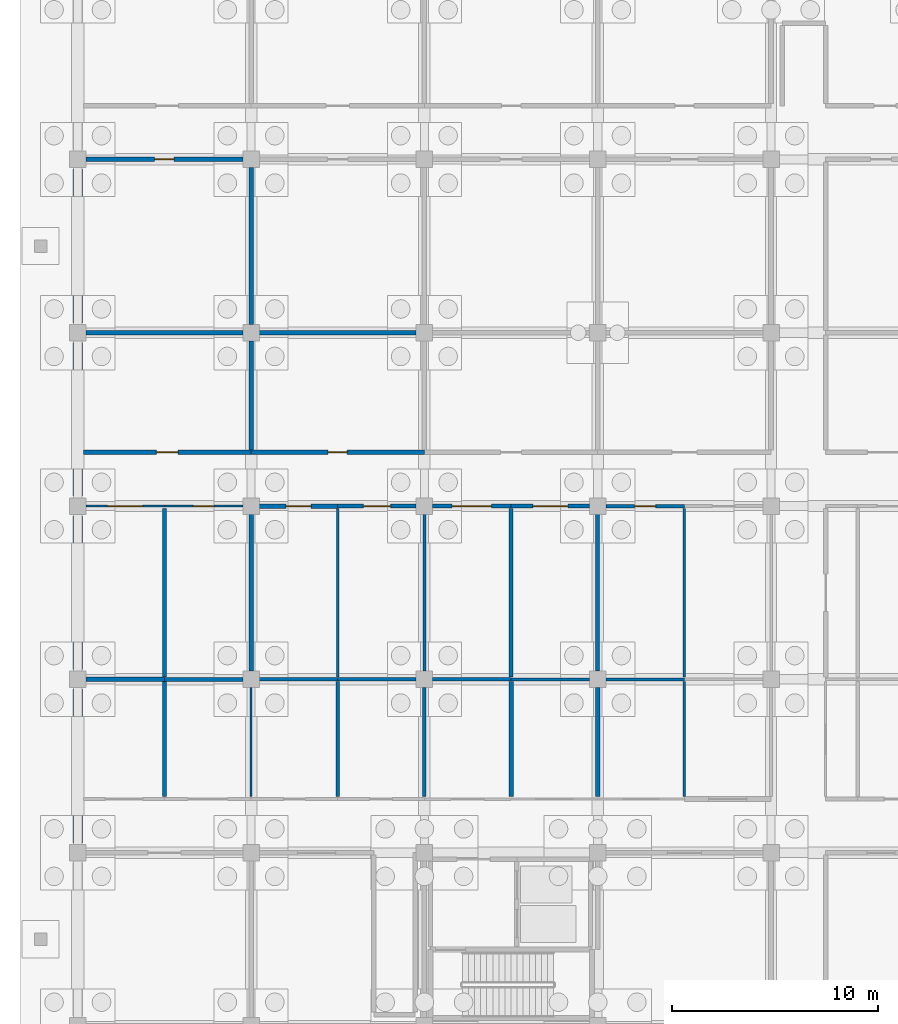
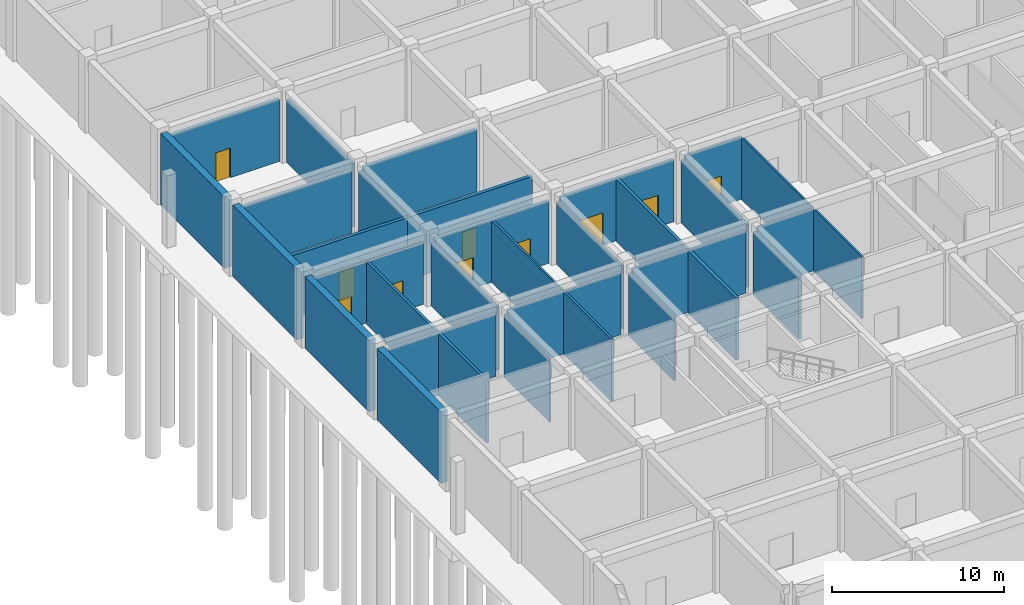
# One storey, part 36 of 65: 39 walls, 10 doors, 10 openings.
"""IFC4 building model written with IfcOpenShell, lengths in metres."""

from ifc_helpers import new_model, si_unit, direction, frame, frame_2d, origin, place, context, subcontext, project, spatial, rectangle, extrude, material, layer, layer_set, type_object, element, fill, save


model = new_model("IFC4")

# Units and contexts
model_context = context("Model", 3, precision=1e-05, world=origin(), true_north=direction((0.0, 1.0)))
body_context = subcontext(model_context, "Body", "Model", "MODEL_VIEW")
ifc_project = project(units=[si_unit("LENGTHUNIT", "METRE"), si_unit("AREAUNIT", "SQUARE_METRE"), si_unit("VOLUMEUNIT", "CUBIC_METRE"), si_unit("PLANEANGLEUNIT", "RADIAN"), si_unit("MASSUNIT", "GRAM", prefix="KILO")], contexts=[model_context])

# Site, building, storey
site_placement = place(None, origin())
site = spatial("IfcSite", under=ifc_project, at=site_placement, CompositionType="ELEMENT")
building_placement = place(site_placement, origin())
building = spatial("IfcBuilding", under=site, at=building_placement, Name="Bramfleet General Hospital", CompositionType="ELEMENT")
storey_placement = place(building_placement, frame((0.0, 0.0, -5.39990234375)))
storey = spatial("IfcBuildingStorey", under=building, at=storey_placement, Name="B1", CompositionType="ELEMENT", Elevation=-5.39990234375)

# Walls
ifc_material_1 = material(Name="Concrete C35/45", Category="concrete")
ifc_layer_1 = layer(ifc_material_1, 0.449951171875, Name="WT-EW-01")
ifc_layer_set_1 = layer_set([ifc_layer_1], Name="Concrete C35/45")
wall_type_1 = type_object("IfcWallType", Name="WT-EW-01", PredefinedType="SOLIDWALL", material=ifc_layer_set_1)
wall_1_placement = place(storey_placement, frame((0.0, 59.27490234375, 0.0), z_axis=(0.0, 0.0, 1.0), x_axis=(0.0, 1.0, 0.0)))
element("IfcWall", 1, at=wall_1_placement, inside=storey, type_object=wall_type_1, Name="B1 Waterproof Retaining Wall 1", PredefinedType="SOLIDWALL", context=body_context, shape_type="SweptSolid", body=[
    extrude(rectangle(XDim=7.4501953125, YDim=0.449951171875, at=frame_2d((3.72509765625, 0.0))), origin(), (0.0, 0.0, 1.0), 5.079833984375),
])
for number, where, z_axis, x_axis, name in (
    (2, (0.0, 67.675048828125, 0.0), (0.0, 0.0, 1.0), (0.0, 1.0, 0.0), "B1 Waterproof Retaining Wall 2"),
    (3, (0.0, 76.074951171875, 0.0), (0.0, 0.0, 1.0), (0.0, 1.0, 0.0), "B1 Waterproof Retaining Wall 3"),
    (4, (0.0, 84.47509765625, 0.0), (0.0, 0.0, 1.0), (0.0, 1.0, 0.0), "B1 Waterproof Retaining Wall 4"),
):
    element("IfcWall", number, at=place(storey_placement, frame(where, z_axis=z_axis, x_axis=x_axis)), inside=storey, type_object=wall_type_1, Name=name, PredefinedType="SOLIDWALL", context=body_context, shape_type="SweptSolid", body=[
        extrude(rectangle(XDim=7.449951171875, YDim=0.449951171875, at=frame_2d((3.72509765625, 0.0))), origin(), (0.0, 0.0, 1.0), 5.079833984375),
    ])

# Wall, opening, door
ifc_layer_2 = layer(ifc_material_1, 0.219970703125, Name="WT-IW-01")
ifc_layer_set_2 = layer_set([ifc_layer_2], Name="Concrete C35/45")
wall_type_2 = type_object("IfcWallType", Name="WT-IW-01", PredefinedType="PARTITIONING", material=ifc_layer_set_2)
wall_2_placement = place(storey_placement, frame((8.794921875, 75.60009765625, 0.0), z_axis=(0.0, 0.0, 1.0), x_axis=(1.0, 0.0, 0.0)))
wall_2 = element("IfcWall", 5, at=wall_2_placement, inside=storey, type_object=wall_type_2, Name="B1 Interior Partition IW-B1-0205", PredefinedType="PARTITIONING", context=body_context, shape_type="SweptSolid", body=[
    extrude(rectangle(XDim=3.80517578125, YDim=0.219970703125, at=frame_2d((1.902587890625, 0.0))), origin(), (0.0, 0.0, 1.0), 4.419921875),
])
opening_1_placement = place(wall_2_placement, frame((1.29248046875, 0.0, 0.0)))
opening_1 = element("IfcOpeningElement", 6, at=opening_1_placement, cuts=wall_2, Name="Opening D0215", PredefinedType="OPENING", context=body_context, shape_type="SweptSolid", body=[
    extrude(rectangle(XDim=1.219970703125, YDim=2.179931640625, at=frame_2d((0.60986328125, 1.08984375))), frame((0.0, 0.119873046875, 0.0), z_axis=(0.0, -1.0, 0.0), x_axis=(1.0, 0.0, 0.0)), (0.0, 0.0, 1.0), 0.239990234375),
])
ifc_material_2 = material(Name="Stainless steel and acoustic timber leaf", Category="steel")
door_type_1 = type_object("IfcDoorType", Name="DR-D-23", OperationType="NOTDEFINED", PredefinedType="DOOR", material=ifc_material_2)
door_1_placement = place(opening_1_placement, origin())
door_1 = element("IfcDoor", 7, at=door_1_placement, inside=storey, type_object=door_type_1, Name="Clean Medical Supply Store B1-0108 Door D0215", OperationType="SINGLE_SWING_RIGHT", OverallHeight=2.179931640625, OverallWidth=1.219970703125, PredefinedType="DOOR", context=body_context, shape_type="SweptSolid", body=[
    extrude(rectangle(XDim=1.219970703125, YDim=2.179931640625, at=frame_2d((0.60986328125, 1.08984375))), frame((0.0, 0.02490234375, 0.0), z_axis=(0.0, -1.0, 0.0), x_axis=(1.0, 0.0, 0.0)), (0.0, 0.0, 1.0), 0.050048828125),
])
fill(opening_1, door_1)

wall_3_placement = place(storey_placement, frame((0.280029296875, 78.199951171875, 0.0), z_axis=(0.0, 0.0, 1.0), x_axis=(1.0, 0.0, 0.0)))
wall_3 = element("IfcWall", 8, at=wall_3_placement, inside=storey, type_object=wall_type_2, Name="B1 Interior Partition IW-B1-0223", PredefinedType="PARTITIONING", context=body_context, shape_type="SweptSolid", body=[
    extrude(rectangle(XDim=8.119873046875, YDim=0.219970703125, at=frame_2d((4.06005859375, 0.0))), origin(), (0.0, 0.0, 1.0), 4.469970703125),
])
opening_2_placement = place(wall_3_placement, frame((3.534912109375, 0.0, 0.0)))
opening_2 = element("IfcOpeningElement", 9, at=opening_2_placement, cuts=wall_3, Name="Opening D0201", PredefinedType="OPENING", context=body_context, shape_type="SweptSolid", body=[
    extrude(rectangle(XDim=1.050048828125, YDim=2.14990234375, at=frame_2d((0.52490234375, 1.074951171875))), frame((0.0, 0.119873046875, 0.0), z_axis=(0.0, -1.0, 0.0), x_axis=(1.0, 0.0, 0.0)), (0.0, 0.0, 1.0), 0.239990234375),
])
door_type_2 = type_object("IfcDoorType", Name="DR-D-09", OperationType="NOTDEFINED", PredefinedType="DOOR", material=ifc_material_2)
door_2_placement = place(opening_2_placement, origin())
door_2 = element("IfcDoor", 10, at=door_2_placement, inside=storey, type_object=door_type_2, Name="Central Sterile Supply Room B1-0009 Door D0201", OperationType="SINGLE_SWING_RIGHT", OverallHeight=2.14990234375, OverallWidth=1.050048828125, PredefinedType="DOOR", context=body_context, shape_type="SweptSolid", body=[
    extrude(rectangle(XDim=1.050048828125, YDim=2.14990234375, at=frame_2d((0.52490234375, 1.074951171875))), frame((0.0, 0.02490234375, 0.0), z_axis=(0.0, -1.0, 0.0), x_axis=(1.0, 0.0, 0.0)), (0.0, 0.0, 1.0), 0.050048828125),
])
fill(opening_2, door_2)

wall_4_placement = place(storey_placement, frame((8.39990234375, 78.199951171875, 0.0), z_axis=(0.0, 0.0, 1.0), x_axis=(1.0, 0.0, 0.0)))
wall_4 = element("IfcWall", 11, at=wall_4_placement, inside=storey, type_object=wall_type_2, Name="B1 Interior Partition IW-B1-0224", PredefinedType="PARTITIONING", context=body_context, shape_type="SweptSolid", body=[
    extrude(rectangle(XDim=8.400146484375, YDim=0.219970703125, at=frame_2d((4.2001953125, 0.0))), origin(), (0.0, 0.0, 1.0), 4.469970703125),
])
opening_3_placement = place(wall_4_placement, frame((3.739990234375, 0.0, 0.0)))
opening_3 = element("IfcOpeningElement", 12, at=opening_3_placement, cuts=wall_4, Name="Opening D0217", PredefinedType="OPENING", context=body_context, shape_type="SweptSolid", body=[
    extrude(rectangle(XDim=0.919921875, YDim=2.080078125, at=frame_2d((0.4599609375, 1.0400390625))), frame((0.0, 0.119873046875, 0.0), z_axis=(0.0, -1.0, 0.0), x_axis=(1.0, 0.0, 0.0)), (0.0, 0.0, 1.0), 0.239990234375),
])
door_type_3 = type_object("IfcDoorType", Name="DR-D-25", OperationType="NOTDEFINED", PredefinedType="DOOR", material=ifc_material_2)
door_3_placement = place(opening_3_placement, origin())
door_3 = element("IfcDoor", 13, at=door_3_placement, inside=storey, type_object=door_type_3, Name="Central Sterile Supply Room B1-0109 Door D0217", OperationType="SINGLE_SWING_RIGHT", OverallHeight=2.080078125, OverallWidth=0.919921875, PredefinedType="DOOR", context=body_context, shape_type="SweptSolid", body=[
    extrude(rectangle(XDim=0.919921875, YDim=2.080078125, at=frame_2d((0.4599609375, 1.0400390625))), frame((0.0, 0.02490234375, 0.0), z_axis=(0.0, -1.0, 0.0), x_axis=(1.0, 0.0, 0.0)), (0.0, 0.0, 1.0), 0.050048828125),
])
fill(opening_3, door_3)

# Walls
wall_5_placement = place(storey_placement, frame((0.39501953125, 84.0, 0.0), z_axis=(0.0, 0.0, 1.0), x_axis=(1.0, 0.0, 0.0)))
element("IfcWall", 14, at=wall_5_placement, inside=storey, type_object=wall_type_2, Name="B1 Interior Partition IW-B1-0234", PredefinedType="PARTITIONING", context=body_context, shape_type="SweptSolid", body=[
    extrude(rectangle(XDim=7.60986328125, YDim=0.219970703125, at=frame_2d((3.804931640625, 0.0))), origin(), (0.0, 0.0, 1.0), 4.419921875),
])
wall_6_placement = place(storey_placement, frame((8.794921875, 84.0, 0.0), z_axis=(0.0, 0.0, 1.0), x_axis=(1.0, 0.0, 0.0)))
element("IfcWall", 15, at=wall_6_placement, inside=storey, type_object=wall_type_2, Name="B1 Interior Partition IW-B1-0235", PredefinedType="PARTITIONING", context=body_context, shape_type="SweptSolid", body=[
    extrude(rectangle(XDim=7.610107421875, YDim=0.219970703125, at=frame_2d((3.80517578125, 0.0))), origin(), (0.0, 0.0, 1.0), 4.419921875),
])

# Wall, opening, door
wall_7_placement = place(storey_placement, frame((0.39501953125, 92.39990234375, 0.0), z_axis=(0.0, 0.0, 1.0), x_axis=(1.0, 0.0, 0.0)))
wall_7 = element("IfcWall", 16, at=wall_7_placement, inside=storey, type_object=wall_type_2, Name="B1 Interior Partition IW-B1-0253", PredefinedType="PARTITIONING", context=body_context, shape_type="SweptSolid", body=[
    extrude(rectangle(XDim=7.60986328125, YDim=0.219970703125, at=frame_2d((3.804931640625, 0.0))), origin(), (0.0, 0.0, 1.0), 4.419921875),
])
opening_4_placement = place(wall_7_placement, frame((3.330078125, 0.0, 0.0)))
opening_4 = element("IfcOpeningElement", 17, at=opening_4_placement, cuts=wall_7, Name="Opening D0202", PredefinedType="OPENING", context=body_context, shape_type="SweptSolid", body=[
    extrude(rectangle(XDim=0.949951171875, YDim=2.10009765625, at=frame_2d((0.47509765625, 1.050048828125))), frame((0.0, 0.119873046875, 0.0), z_axis=(0.0, -1.0, 0.0), x_axis=(1.0, 0.0, 0.0)), (0.0, 0.0, 1.0), 0.239990234375),
])
door_type_4 = type_object("IfcDoorType", Name="DR-D-10", OperationType="NOTDEFINED", PredefinedType="DOOR", material=ifc_material_2)
door_4_placement = place(opening_4_placement, origin())
door_4 = element("IfcDoor", 18, at=door_4_placement, inside=storey, type_object=door_type_4, Name="Chiller and District Heating Plant B1-0010 Door D0202", OperationType="SINGLE_SWING_LEFT", OverallHeight=2.10009765625, OverallWidth=0.949951171875, PredefinedType="DOOR", context=body_context, shape_type="SweptSolid", body=[
    extrude(rectangle(XDim=0.949951171875, YDim=2.10009765625, at=frame_2d((0.47509765625, 1.050048828125))), frame((0.0, 0.02490234375, 0.0), z_axis=(0.0, -1.0, 0.0), x_axis=(1.0, 0.0, 0.0)), (0.0, 0.0, 1.0), 0.050048828125),
])
fill(opening_4, door_4)

# Walls
wall_8_placement = place(storey_placement, frame((8.39990234375, 67.594970703125, 0.0), z_axis=(0.0, 0.0, 1.0), x_axis=(0.0, 1.0, 0.0)))
element("IfcWall", 19, at=wall_8_placement, inside=storey, type_object=wall_type_2, Name="B1 Interior Partition IW-B1-0337", PredefinedType="PARTITIONING", context=body_context, shape_type="SweptSolid", body=[
    extrude(rectangle(XDim=7.610107421875, YDim=0.219970703125, at=frame_2d((3.80517578125, 0.0))), origin(), (0.0, 0.0, 1.0), 4.469970703125),
])
wall_9_placement = place(storey_placement, frame((8.39990234375, 78.31494140625, 0.0), z_axis=(0.0, 0.0, 1.0), x_axis=(0.0, 1.0, 0.0)))
element("IfcWall", 20, at=wall_9_placement, inside=storey, type_object=wall_type_2, Name="B1 Interior Partition IW-B1-0338", PredefinedType="PARTITIONING", context=body_context, shape_type="SweptSolid", body=[
    extrude(rectangle(XDim=5.2900390625, YDim=0.219970703125, at=frame_2d((2.64501953125, 0.0))), origin(), (0.0, 0.0, 1.0), 4.469970703125),
])
wall_10_placement = place(storey_placement, frame((8.39990234375, 84.39501953125, 0.0), z_axis=(0.0, 0.0, 1.0), x_axis=(0.0, 1.0, 0.0)))
element("IfcWall", 21, at=wall_10_placement, inside=storey, type_object=wall_type_2, Name="B1 Interior Partition IW-B1-0339", PredefinedType="PARTITIONING", context=body_context, shape_type="SweptSolid", body=[
    extrude(rectangle(XDim=7.60986328125, YDim=0.219970703125, at=frame_2d((3.804931640625, 0.0))), origin(), (0.0, 0.0, 1.0), 4.469970703125),
])
wall_11_placement = place(storey_placement, frame((21.0, 61.514892578125, 0.0), z_axis=(0.0, 0.0, 1.0), x_axis=(0.0, 1.0, 0.0)))
element("IfcWall", 22, at=wall_11_placement, inside=storey, type_object=wall_type_2, Name="B1 Interior Partition IW-B1-0361", PredefinedType="PARTITIONING", context=body_context, shape_type="SweptSolid", body=[
    extrude(rectangle(XDim=5.570068359375, YDim=0.219970703125, at=frame_2d((2.78515625, 0.0))), origin(), (0.0, 0.0, 1.0), 4.419921875),
])
ifc_layer_3 = layer(ifc_material_1, 0.205078125, Name="WT-IW-02")
ifc_layer_set_3 = layer_set([ifc_layer_3], Name="Concrete C35/45")
wall_type_3 = type_object("IfcWallType", Name="WT-IW-02", PredefinedType="PARTITIONING", material=ifc_layer_set_3)
wall_12_placement = place(storey_placement, frame((0.39501953125, 67.199951171875, 0.0), z_axis=(0.0, 0.0, 1.0), x_axis=(1.0, 0.0, 0.0)))
element("IfcWall", 23, at=wall_12_placement, inside=storey, type_object=wall_type_3, Name="B1 Interior Partition IW-B1-0182", PredefinedType="PARTITIONING", context=body_context, shape_type="SweptSolid", body=[
    extrude(rectangle(XDim=3.804931640625, YDim=0.205078125, at=frame_2d((1.90234375, 0.0))), origin(), (0.0, 0.0, 1.0), 4.419921875),
])

# Wall, opening, door
wall_13_placement = place(storey_placement, frame((12.60009765625, 75.60009765625, 0.0), z_axis=(0.0, 0.0, 1.0), x_axis=(1.0, 0.0, 0.0)))
wall_13 = element("IfcWall", 24, at=wall_13_placement, inside=storey, type_object=wall_type_3, Name="B1 Interior Partition IW-B1-0206", PredefinedType="PARTITIONING", context=body_context, shape_type="SweptSolid", body=[
    extrude(rectangle(XDim=3.804931640625, YDim=0.205078125, at=frame_2d((1.90234375, 0.0))), origin(), (0.0, 0.0, 1.0), 4.419921875),
])
opening_5_placement = place(wall_13_placement, frame((1.242431640625, 0.0, 0.0)))
opening_5 = element("IfcOpeningElement", 25, at=opening_5_placement, cuts=wall_13, Name="Opening D0216", PredefinedType="OPENING", context=body_context, shape_type="SweptSolid", body=[
    extrude(rectangle(XDim=1.320068359375, YDim=2.179931640625, at=frame_2d((0.66015625, 1.08984375))), frame((0.0, 0.112548828125, 0.0), z_axis=(0.0, -1.0, 0.0), x_axis=(1.0, 0.0, 0.0)), (0.0, 0.0, 1.0), 0.22509765625),
])
door_type_5 = type_object("IfcDoorType", Name="DR-D-24", OperationType="NOTDEFINED", PredefinedType="DOOR", material=ifc_material_2)
door_5_placement = place(opening_5_placement, origin())
door_5 = element("IfcDoor", 26, at=door_5_placement, inside=storey, type_object=door_type_5, Name="Clinical Engineering Workshop B1-0108 Door D0216", OperationType="SINGLE_SWING_LEFT", OverallHeight=2.179931640625, OverallWidth=1.320068359375, PredefinedType="DOOR", context=body_context, shape_type="SweptSolid", body=[
    extrude(rectangle(XDim=1.320068359375, YDim=2.179931640625, at=frame_2d((0.66015625, 1.08984375))), frame((0.0, 0.02490234375, 0.0), z_axis=(0.0, -1.0, 0.0), x_axis=(1.0, 0.0, 0.0)), (0.0, 0.0, 1.0), 0.050048828125),
])
fill(opening_5, door_5)

# Walls
wall_14_placement = place(storey_placement, frame((21.0, 67.31494140625, 0.0), z_axis=(0.0, 0.0, 1.0), x_axis=(0.0, 1.0, 0.0)))
element("IfcWall", 27, at=wall_14_placement, inside=storey, type_object=wall_type_3, Name="B1 Interior Partition IW-B1-0362", PredefinedType="PARTITIONING", context=body_context, shape_type="SweptSolid", body=[
    extrude(rectangle(XDim=8.170166015625, YDim=0.205078125, at=frame_2d((4.0849609375, 0.0))), origin(), (0.0, 0.0, 1.0), 4.419921875),
])
wall_15_placement = place(storey_placement, frame((25.199951171875, 61.514892578125, 0.0), z_axis=(0.0, 0.0, 1.0), x_axis=(0.0, 1.0, 0.0)))
element("IfcWall", 28, at=wall_15_placement, inside=storey, type_object=wall_type_3, Name="B1 Interior Partition IW-B1-0374", PredefinedType="PARTITIONING", context=body_context, shape_type="SweptSolid", body=[
    extrude(rectangle(XDim=5.2900390625, YDim=0.205078125, at=frame_2d((2.64501953125, 0.0))), origin(), (0.0, 0.0, 1.0), 4.469970703125),
])
ifc_layer_4 = layer(ifc_material_1, 0.18994140625, Name="WT-IW-03")
ifc_layer_set_4 = layer_set([ifc_layer_4], Name="Concrete C35/45")
wall_type_4 = type_object("IfcWallType", Name="WT-IW-03", PredefinedType="PARTITIONING", material=ifc_layer_set_4)
wall_16_placement = place(storey_placement, frame((4.199951171875, 67.199951171875, 0.0), z_axis=(0.0, 0.0, 1.0), x_axis=(1.0, 0.0, 0.0)))
element("IfcWall", 29, at=wall_16_placement, inside=storey, type_object=wall_type_4, Name="B1 Interior Partition IW-B1-0183", PredefinedType="PARTITIONING", context=body_context, shape_type="SweptSolid", body=[
    extrude(rectangle(XDim=3.804931640625, YDim=0.18994140625, at=frame_2d((1.90234375, 0.0))), origin(), (0.0, 0.0, 1.0), 4.419921875),
])

# Wall, opening, door
wall_17_placement = place(storey_placement, frame((17.195068359375, 75.60009765625, 0.0), z_axis=(0.0, 0.0, 1.0), x_axis=(1.0, 0.0, 0.0)))
wall_17 = element("IfcWall", 30, at=wall_17_placement, inside=storey, type_object=wall_type_4, Name="B1 Interior Partition IW-B1-0207", PredefinedType="PARTITIONING", context=body_context, shape_type="SweptSolid", body=[
    extrude(rectangle(XDim=3.804931640625, YDim=0.18994140625, at=frame_2d((1.90234375, 0.0))), origin(), (0.0, 0.0, 1.0), 4.419921875),
])
opening_6_placement = place(wall_17_placement, frame((0.952392578125, 0.0, 0.0)))
opening_6 = element("IfcOpeningElement", 31, at=opening_6_placement, cuts=wall_17, Name="Opening D0230", PredefinedType="OPENING", context=body_context, shape_type="SweptSolid", body=[
    extrude(rectangle(XDim=1.89990234375, YDim=2.300048828125, at=frame_2d((0.949951171875, 1.14990234375))), frame((0.0, 0.10498046875, 0.0), z_axis=(0.0, -1.0, 0.0), x_axis=(1.0, 0.0, 0.0)), (0.0, 0.0, 1.0), 0.2099609375),
])
door_type_6 = type_object("IfcDoorType", Name="DR-D-06", OperationType="NOTDEFINED", PredefinedType="DOOR", material=ifc_material_2)
door_6_placement = place(opening_6_placement, origin())
door_6 = element("IfcDoor", 32, at=door_6_placement, inside=storey, type_object=door_type_6, Name="Clean Medical Supply Store B1-0208 Door D0230", OperationType="DOUBLE_SWING_LEFT", OverallHeight=2.300048828125, OverallWidth=1.89990234375, PredefinedType="DOOR", context=body_context, shape_type="SweptSolid", body=[
    extrude(rectangle(XDim=1.89990234375, YDim=2.300048828125, at=frame_2d((0.949951171875, 1.14990234375))), frame((0.0, 0.02490234375, 0.0), z_axis=(0.0, -1.0, 0.0), x_axis=(1.0, 0.0, 0.0)), (0.0, 0.0, 1.0), 0.050048828125),
])
fill(opening_6, door_6)

# Walls
wall_18_placement = place(storey_placement, frame((4.199951171875, 61.514892578125, 0.0), z_axis=(0.0, 0.0, 1.0), x_axis=(0.0, 1.0, 0.0)))
element("IfcWall", 33, at=wall_18_placement, inside=storey, type_object=wall_type_4, Name="B1 Interior Partition IW-B1-0327", PredefinedType="PARTITIONING", context=body_context, shape_type="SweptSolid", body=[
    extrude(rectangle(XDim=5.570068359375, YDim=0.18994140625, at=frame_2d((2.78515625, 0.0))), origin(), (0.0, 0.0, 1.0), 4.419921875),
])
wall_19_placement = place(storey_placement, frame((25.199951171875, 67.594970703125, 0.0), z_axis=(0.0, 0.0, 1.0), x_axis=(0.0, 1.0, 0.0)))
element("IfcWall", 34, at=wall_19_placement, inside=storey, type_object=wall_type_4, Name="B1 Interior Partition IW-B1-0375", PredefinedType="PARTITIONING", context=body_context, shape_type="SweptSolid", body=[
    extrude(rectangle(XDim=7.610107421875, YDim=0.18994140625, at=frame_2d((3.80517578125, 0.0))), origin(), (0.0, 0.0, 1.0), 4.469970703125),
])
ifc_layer_5 = layer(ifc_material_1, 0.179931640625, Name="WT-IW-04")
ifc_layer_set_5 = layer_set([ifc_layer_5], Name="Concrete C35/45")
wall_type_5 = type_object("IfcWallType", Name="WT-IW-04", PredefinedType="PARTITIONING", material=ifc_layer_set_5)
wall_20_placement = place(storey_placement, frame((8.794921875, 67.199951171875, 0.0), z_axis=(0.0, 0.0, 1.0), x_axis=(1.0, 0.0, 0.0)))
element("IfcWall", 35, at=wall_20_placement, inside=storey, type_object=wall_type_5, Name="B1 Interior Partition IW-B1-0184", PredefinedType="PARTITIONING", context=body_context, shape_type="SweptSolid", body=[
    extrude(rectangle(XDim=3.80517578125, YDim=0.179931640625, at=frame_2d((1.902587890625, 0.0))), origin(), (0.0, 0.0, 1.0), 4.419921875),
])

# Wall, opening, door
wall_21_placement = place(storey_placement, frame((21.0, 75.60009765625, 0.0), z_axis=(0.0, 0.0, 1.0), x_axis=(1.0, 0.0, 0.0)))
wall_21 = element("IfcWall", 36, at=wall_21_placement, inside=storey, type_object=wall_type_5, Name="B1 Interior Partition IW-B1-0208", PredefinedType="PARTITIONING", context=body_context, shape_type="SweptSolid", body=[
    extrude(rectangle(XDim=3.804931640625, YDim=0.179931640625, at=frame_2d((1.90234375, 0.0))), origin(), (0.0, 0.0, 1.0), 4.419921875),
])
opening_7_placement = place(wall_21_placement, frame((1.052490234375, 0.0, 0.0)))
opening_7 = element("IfcOpeningElement", 37, at=opening_7_placement, cuts=wall_21, Name="Opening D0231", PredefinedType="OPENING", context=body_context, shape_type="SweptSolid", body=[
    extrude(rectangle(XDim=1.699951171875, YDim=2.25, at=frame_2d((0.85009765625, 1.125))), frame((0.0, 0.099853515625, 0.0), z_axis=(0.0, -1.0, 0.0), x_axis=(1.0, 0.0, 0.0)), (0.0, 0.0, 1.0), 0.199951171875),
])
door_type_7 = type_object("IfcDoorType", Name="DR-D-07", OperationType="NOTDEFINED", PredefinedType="DOOR", material=ifc_material_2)
door_7_placement = place(opening_7_placement, origin())
door_7 = element("IfcDoor", 38, at=door_7_placement, inside=storey, type_object=door_type_7, Name="Clinical Engineering Workshop B1-0208 Door D0231", OperationType="DOUBLE_SWING_RIGHT", OverallHeight=2.25, OverallWidth=1.699951171875, PredefinedType="DOOR", context=body_context, shape_type="SweptSolid", body=[
    extrude(rectangle(XDim=1.699951171875, YDim=2.25, at=frame_2d((0.85009765625, 1.125))), frame((0.0, 0.02490234375, 0.0), z_axis=(0.0, -1.0, 0.0), x_axis=(1.0, 0.0, 0.0)), (0.0, 0.0, 1.0), 0.050048828125),
])
fill(opening_7, door_7)

# Walls
wall_22_placement = place(storey_placement, frame((4.199951171875, 67.31494140625, 0.0), z_axis=(0.0, 0.0, 1.0), x_axis=(0.0, 1.0, 0.0)))
element("IfcWall", 39, at=wall_22_placement, inside=storey, type_object=wall_type_5, Name="B1 Interior Partition IW-B1-0328", PredefinedType="PARTITIONING", context=body_context, shape_type="SweptSolid", body=[
    extrude(rectangle(XDim=8.170166015625, YDim=0.179931640625, at=frame_2d((4.0849609375, 0.0))), origin(), (0.0, 0.0, 1.0), 4.419921875),
])
ifc_material_3 = material(Name="Gypsum plasterboard on acoustic steel studs", Category="steel")
ifc_layer_6 = layer(ifc_material_3, 0.169921875, Name="WT-IW-05")
ifc_layer_set_6 = layer_set([ifc_layer_6], Name="Gypsum plasterboard on acoustic steel studs")
wall_type_6 = type_object("IfcWallType", Name="WT-IW-05", PredefinedType="PARTITIONING", material=ifc_layer_set_6)
wall_23_placement = place(storey_placement, frame((12.60009765625, 67.199951171875, 0.0), z_axis=(0.0, 0.0, 1.0), x_axis=(1.0, 0.0, 0.0)))
element("IfcWall", 40, at=wall_23_placement, inside=storey, type_object=wall_type_6, Name="B1 Interior Partition IW-B1-0185", PredefinedType="PARTITIONING", context=body_context, shape_type="SweptSolid", body=[
    extrude(rectangle(XDim=3.804931640625, YDim=0.169921875, at=frame_2d((1.90234375, 0.0))), origin(), (0.0, 0.0, 1.0), 4.419921875),
])

# Wall, opening, door
wall_24_placement = place(storey_placement, frame((25.594970703125, 75.60009765625, 0.0), z_axis=(0.0, 0.0, 1.0), x_axis=(1.0, 0.0, 0.0)))
wall_24 = element("IfcWall", 41, at=wall_24_placement, inside=storey, type_object=wall_type_6, Name="B1 Interior Partition IW-B1-0209", PredefinedType="PARTITIONING", context=body_context, shape_type="SweptSolid", body=[
    extrude(rectangle(XDim=3.804931640625, YDim=0.169921875, at=frame_2d((1.90234375, 0.0))), origin(), (0.0, 0.0, 1.0), 4.419921875),
])
opening_8_placement = place(wall_24_placement, frame((1.392578125, 0.0, 0.0)))
opening_8 = element("IfcOpeningElement", 42, at=opening_8_placement, cuts=wall_24, Name="Opening D0245", PredefinedType="OPENING", context=body_context, shape_type="SweptSolid", body=[
    extrude(rectangle(XDim=1.02001953125, YDim=2.1201171875, at=frame_2d((0.510009765625, 1.06005859375))), frame((0.0, 0.094970703125, 0.0), z_axis=(0.0, -1.0, 0.0), x_axis=(1.0, 0.0, 0.0)), (0.0, 0.0, 1.0), 0.18994140625),
])
door_type_8 = type_object("IfcDoorType", Name="DR-D-21", OperationType="NOTDEFINED", PredefinedType="DOOR", material=ifc_material_2)
door_8_placement = place(opening_8_placement, origin())
door_8 = element("IfcDoor", 43, at=door_8_placement, inside=storey, type_object=door_type_8, Name="Clean Medical Supply Store B1-0308 Door D0245", OperationType="SINGLE_SWING_RIGHT", OverallHeight=2.1201171875, OverallWidth=1.02001953125, PredefinedType="DOOR", context=body_context, shape_type="SweptSolid", body=[
    extrude(rectangle(XDim=1.02001953125, YDim=2.1201171875, at=frame_2d((0.510009765625, 1.06005859375))), frame((0.0, 0.02490234375, 0.0), z_axis=(0.0, -1.0, 0.0), x_axis=(1.0, 0.0, 0.0)), (0.0, 0.0, 1.0), 0.050048828125),
])
fill(opening_8, door_8)

# Walls
ifc_layer_7 = layer(ifc_material_3, 0.159912109375, Name="WT-IW-06")
ifc_layer_set_7 = layer_set([ifc_layer_7], Name="Gypsum plasterboard on acoustic steel studs")
wall_type_7 = type_object("IfcWallType", Name="WT-IW-06", PredefinedType="PARTITIONING", material=ifc_layer_set_7)
wall_25_placement = place(storey_placement, frame((17.195068359375, 67.199951171875, 0.0), z_axis=(0.0, 0.0, 1.0), x_axis=(1.0, 0.0, 0.0)))
element("IfcWall", 44, at=wall_25_placement, inside=storey, type_object=wall_type_7, Name="B1 Interior Partition IW-B1-0186", PredefinedType="PARTITIONING", context=body_context, shape_type="SweptSolid", body=[
    extrude(rectangle(XDim=3.804931640625, YDim=0.159912109375, at=frame_2d((1.90234375, 0.0))), origin(), (0.0, 0.0, 1.0), 4.419921875),
])
wall_26_placement = place(storey_placement, frame((16.800048828125, 61.514892578125, 0.0), z_axis=(0.0, 0.0, 1.0), x_axis=(0.0, 1.0, 0.0)))
element("IfcWall", 45, at=wall_26_placement, inside=storey, type_object=wall_type_7, Name="B1 Interior Partition IW-B1-0354", PredefinedType="PARTITIONING", context=body_context, shape_type="SweptSolid", body=[
    extrude(rectangle(XDim=5.2900390625, YDim=0.159912109375, at=frame_2d((2.64501953125, 0.0))), origin(), (0.0, 0.0, 1.0), 4.469970703125),
])
ifc_layer_8 = layer(ifc_material_3, 0.14990234375, Name="WT-IW-07")
ifc_layer_set_8 = layer_set([ifc_layer_8], Name="Gypsum plasterboard on acoustic steel studs")
wall_type_8 = type_object("IfcWallType", Name="WT-IW-07", PredefinedType="PARTITIONING", material=ifc_layer_set_8)
wall_27_placement = place(storey_placement, frame((21.0, 67.199951171875, 0.0), z_axis=(0.0, 0.0, 1.0), x_axis=(1.0, 0.0, 0.0)))
element("IfcWall", 46, at=wall_27_placement, inside=storey, type_object=wall_type_8, Name="B1 Interior Partition IW-B1-0187", PredefinedType="PARTITIONING", context=body_context, shape_type="SweptSolid", body=[
    extrude(rectangle(XDim=3.804931640625, YDim=0.14990234375, at=frame_2d((1.90234375, 0.0))), origin(), (0.0, 0.0, 1.0), 4.419921875),
])
wall_28_placement = place(storey_placement, frame((12.60009765625, 61.514892578125, 0.0), z_axis=(0.0, 0.0, 1.0), x_axis=(0.0, 1.0, 0.0)))
element("IfcWall", 47, at=wall_28_placement, inside=storey, type_object=wall_type_8, Name="B1 Interior Partition IW-B1-0343", PredefinedType="PARTITIONING", context=body_context, shape_type="SweptSolid", body=[
    extrude(rectangle(XDim=5.570068359375, YDim=0.14990234375, at=frame_2d((2.78515625, 0.0))), origin(), (0.0, 0.0, 1.0), 4.419921875),
])
wall_29_placement = place(storey_placement, frame((16.800048828125, 67.594970703125, 0.0), z_axis=(0.0, 0.0, 1.0), x_axis=(0.0, 1.0, 0.0)))
element("IfcWall", 48, at=wall_29_placement, inside=storey, type_object=wall_type_8, Name="B1 Interior Partition IW-B1-0355", PredefinedType="PARTITIONING", context=body_context, shape_type="SweptSolid", body=[
    extrude(rectangle(XDim=7.610107421875, YDim=0.14990234375, at=frame_2d((3.80517578125, 0.0))), origin(), (0.0, 0.0, 1.0), 4.469970703125),
])
ifc_layer_9 = layer(ifc_material_3, 0.139892578125, Name="WT-IW-08")
ifc_layer_set_9 = layer_set([ifc_layer_9], Name="Gypsum plasterboard on acoustic steel studs")
wall_type_9 = type_object("IfcWallType", Name="WT-IW-08", PredefinedType="PARTITIONING", material=ifc_layer_set_9)
wall_30_placement = place(storey_placement, frame((25.594970703125, 67.199951171875, 0.0), z_axis=(0.0, 0.0, 1.0), x_axis=(1.0, 0.0, 0.0)))
element("IfcWall", 49, at=wall_30_placement, inside=storey, type_object=wall_type_9, Name="B1 Interior Partition IW-B1-0188", PredefinedType="PARTITIONING", context=body_context, shape_type="SweptSolid", body=[
    extrude(rectangle(XDim=3.804931640625, YDim=0.139892578125, at=frame_2d((1.90234375, 0.0))), origin(), (0.0, 0.0, 1.0), 4.419921875),
])
wall_31_placement = place(storey_placement, frame((12.60009765625, 67.31494140625, 0.0), z_axis=(0.0, 0.0, 1.0), x_axis=(0.0, 1.0, 0.0)))
element("IfcWall", 50, at=wall_31_placement, inside=storey, type_object=wall_type_9, Name="B1 Interior Partition IW-B1-0344", PredefinedType="PARTITIONING", context=body_context, shape_type="SweptSolid", body=[
    extrude(rectangle(XDim=8.170166015625, YDim=0.139892578125, at=frame_2d((4.0849609375, 0.0))), origin(), (0.0, 0.0, 1.0), 4.419921875),
])
ifc_layer_10 = layer(ifc_material_3, 0.1298828125, Name="WT-IW-09")
ifc_layer_set_10 = layer_set([ifc_layer_10], Name="Gypsum plasterboard on acoustic steel studs")
wall_type_10 = type_object("IfcWallType", Name="WT-IW-09", PredefinedType="PARTITIONING", material=ifc_layer_set_10)
wall_32_placement = place(storey_placement, frame((29.39990234375, 61.514892578125, 0.0), z_axis=(0.0, 0.0, 1.0), x_axis=(0.0, 1.0, 0.0)))
element("IfcWall", 51, at=wall_32_placement, inside=storey, type_object=wall_type_10, Name="B1 Interior Partition IW-B1-0381", PredefinedType="PARTITIONING", context=body_context, shape_type="SweptSolid", body=[
    extrude(rectangle(XDim=5.570068359375, YDim=0.1298828125, at=frame_2d((2.78515625, 0.0))), origin(), (0.0, 0.0, 1.0), 4.419921875),
])
ifc_layer_11 = layer(ifc_material_3, 0.1201171875, Name="WT-IW-10")
ifc_layer_set_11 = layer_set([ifc_layer_11], Name="Gypsum plasterboard on acoustic steel studs")
wall_type_11 = type_object("IfcWallType", Name="WT-IW-10", PredefinedType="PARTITIONING", material=ifc_layer_set_11)
wall_33_placement = place(storey_placement, frame((29.39990234375, 67.31494140625, 0.0), z_axis=(0.0, 0.0, 1.0), x_axis=(0.0, 1.0, 0.0)))
element("IfcWall", 52, at=wall_33_placement, inside=storey, type_object=wall_type_11, Name="B1 Interior Partition IW-B1-0382", PredefinedType="PARTITIONING", context=body_context, shape_type="SweptSolid", body=[
    extrude(rectangle(XDim=8.170166015625, YDim=0.1201171875, at=frame_2d((4.0849609375, 0.0))), origin(), (0.0, 0.0, 1.0), 4.419921875),
])

# Wall, opening, door
ifc_layer_12 = layer(ifc_material_3, 0.112060546875, Name="WT-IW-11")
ifc_layer_set_12 = layer_set([ifc_layer_12], Name="Gypsum plasterboard on acoustic steel studs")
wall_type_12 = type_object("IfcWallType", Name="WT-IW-11", PredefinedType="PARTITIONING", material=ifc_layer_set_12)
wall_34_placement = place(storey_placement, frame((0.39501953125, 75.60009765625, 0.0), z_axis=(0.0, 0.0, 1.0), x_axis=(1.0, 0.0, 0.0)))
wall_34 = element("IfcWall", 53, at=wall_34_placement, inside=storey, type_object=wall_type_12, Name="B1 Interior Partition IW-B1-0203", PredefinedType="PARTITIONING", context=body_context, shape_type="SweptSolid", body=[
    extrude(rectangle(XDim=3.804931640625, YDim=0.112060546875, at=frame_2d((1.90234375, 0.0))), origin(), (0.0, 0.0, 1.0), 4.419921875),
])
opening_9_placement = place(wall_34_placement, frame((1.052490234375, 0.0, 0.0)))
opening_9 = element("IfcOpeningElement", 54, at=opening_9_placement, cuts=wall_34, Name="Opening D0199", PredefinedType="OPENING", context=body_context, shape_type="SweptSolid", body=[
    extrude(rectangle(XDim=1.699951171875, YDim=2.25, at=frame_2d((0.85009765625, 1.125))), frame((0.0, 0.06591796875, 0.0), z_axis=(0.0, -1.0, 0.0), x_axis=(1.0, 0.0, 0.0)), (0.0, 0.0, 1.0), 0.132080078125),
])
door_9_placement = place(opening_9_placement, origin())
door_9 = element("IfcDoor", 55, at=door_9_placement, inside=storey, type_object=door_type_7, Name="Clean Medical Supply Store B1-0008 Door D0199", OperationType="DOUBLE_SWING_RIGHT", OverallHeight=2.25, OverallWidth=1.699951171875, PredefinedType="DOOR", context=body_context, shape_type="SweptSolid", body=[
    extrude(rectangle(XDim=1.699951171875, YDim=2.25, at=frame_2d((0.85009765625, 1.125))), frame((0.0, 0.02490234375, 0.0), z_axis=(0.0, -1.0, 0.0), x_axis=(1.0, 0.0, 0.0)), (0.0, 0.0, 1.0), 0.050048828125),
])
fill(opening_9, door_9)

ifc_layer_13 = layer(ifc_material_3, 0.10009765625, Name="WT-IW-12")
ifc_layer_set_13 = layer_set([ifc_layer_13], Name="Gypsum plasterboard on acoustic steel studs")
wall_type_13 = type_object("IfcWallType", Name="WT-IW-12", PredefinedType="PARTITIONING", material=ifc_layer_set_13)
wall_35_placement = place(storey_placement, frame((4.199951171875, 75.60009765625, 0.0), z_axis=(0.0, 0.0, 1.0), x_axis=(1.0, 0.0, 0.0)))
wall_35 = element("IfcWall", 56, at=wall_35_placement, inside=storey, type_object=wall_type_13, Name="B1 Interior Partition IW-B1-0204", PredefinedType="PARTITIONING", context=body_context, shape_type="SweptSolid", body=[
    extrude(rectangle(XDim=3.804931640625, YDim=0.10009765625, at=frame_2d((1.90234375, 0.0))), origin(), (0.0, 0.0, 1.0), 4.419921875),
])
opening_10_placement = place(wall_35_placement, frame((1.402587890625, 0.0, 0.0)))
opening_10 = element("IfcOpeningElement", 57, at=opening_10_placement, cuts=wall_35, Name="Opening D0200", PredefinedType="OPENING", context=body_context, shape_type="SweptSolid", body=[
    extrude(rectangle(XDim=1.0, YDim=2.14990234375, at=frame_2d((0.5, 1.074951171875))), frame((0.0, 0.06005859375, 0.0), z_axis=(0.0, -1.0, 0.0), x_axis=(1.0, 0.0, 0.0)), (0.0, 0.0, 1.0), 0.1201171875),
])
door_type_9 = type_object("IfcDoorType", Name="DR-D-08", OperationType="NOTDEFINED", PredefinedType="DOOR", material=ifc_material_2)
door_10_placement = place(opening_10_placement, origin())
door_10 = element("IfcDoor", 58, at=door_10_placement, inside=storey, type_object=door_type_9, Name="Clinical Engineering Workshop B1-0008 Door D0200", OperationType="SINGLE_SWING_LEFT", OverallHeight=2.14990234375, OverallWidth=1.0, PredefinedType="DOOR", context=body_context, shape_type="SweptSolid", body=[
    extrude(rectangle(XDim=1.0, YDim=2.14990234375, at=frame_2d((0.5, 1.074951171875))), frame((0.0, 0.02490234375, 0.0), z_axis=(0.0, -1.0, 0.0), x_axis=(1.0, 0.0, 0.0)), (0.0, 0.0, 1.0), 0.050048828125),
])
fill(opening_10, door_10)

# Wall
wall_36_placement = place(storey_placement, frame((8.39990234375, 61.514892578125, 0.0), z_axis=(0.0, 0.0, 1.0), x_axis=(0.0, 1.0, 0.0)))
element("IfcWall", 59, at=wall_36_placement, inside=storey, type_object=wall_type_13, Name="B1 Interior Partition IW-B1-0336", PredefinedType="PARTITIONING", context=body_context, shape_type="SweptSolid", body=[
    extrude(rectangle(XDim=5.2900390625, YDim=0.10009765625, at=frame_2d((2.64501953125, 0.0))), origin(), (0.0, 0.0, 1.0), 4.469970703125),
])

save(model, "model.ifc")
